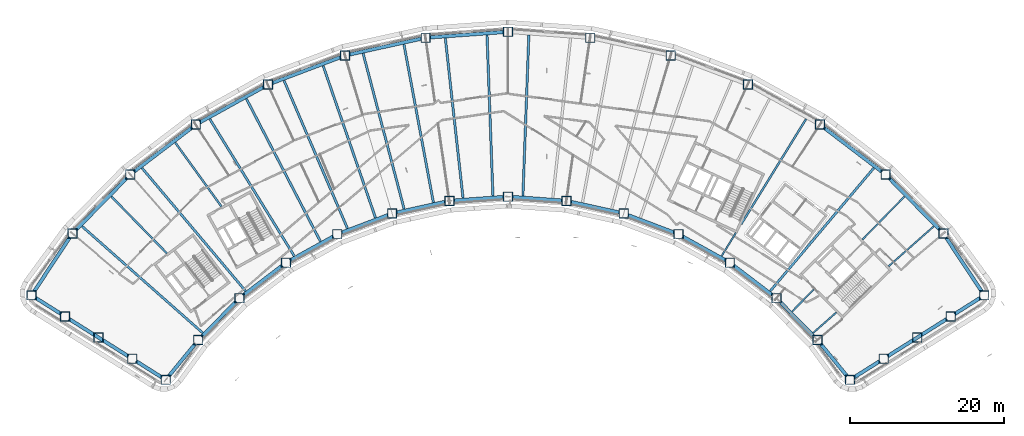
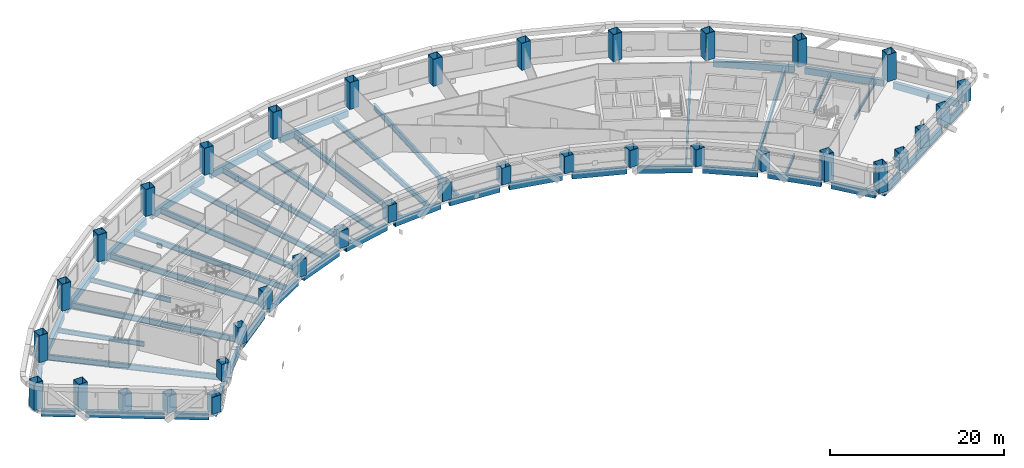
# One storey, part 1 of 19: 50 beams, 36 columns.
"""IFC4 building model written with IfcOpenShell, lengths in metres."""

from ifc_helpers import new_model, si_unit, direction, frame, origin, origin_2d, place, context, subcontext, project, spatial, hollow_rectangle, i_section, extrude, material, material_profile, profile_set, type_object, element, save


model = new_model("IFC4")

# Units and contexts
model_context = context("Model", 3, precision=1e-05, world=origin(), true_north=direction((0.0, 1.0)))
body_context = subcontext(model_context, "Body", "Model", "MODEL_VIEW")
ifc_project = project(units=[si_unit("LENGTHUNIT", "METRE"), si_unit("AREAUNIT", "SQUARE_METRE"), si_unit("VOLUMEUNIT", "CUBIC_METRE"), si_unit("PLANEANGLEUNIT", "RADIAN"), si_unit("MASSUNIT", "GRAM", prefix="KILO")], contexts=[model_context])

# Site, building, storey
site_placement = place(None, origin())
site = spatial("IfcSite", under=ifc_project, at=site_placement, CompositionType="ELEMENT")
building_placement = place(site_placement, origin())
building = spatial("IfcBuilding", under=site, at=building_placement, Name="Tuul Gate Civic Tower", CompositionType="ELEMENT")
storey_placement = place(building_placement, frame((0.0, 0.0, 90.60009765625)))
storey = spatial("IfcBuildingStorey", under=building, at=storey_placement, Name="Level 20", CompositionType="ELEMENT", Elevation=90.60009765625)

# Columns
ifc_material_1 = material(Name="Steel S355", Category="steel")
ifc_material_profile_1 = material_profile(ifc_material_1, hollow_rectangle(XDim=1.199951171875, YDim=1.199951171875, WallThickness=0.0400390625, at=origin_2d()), Name="BOX1200x1200x40")
ifc_profile_set_1 = profile_set([ifc_material_profile_1], Name="Steel S355")
column_type = type_object("IfcColumnType", Name="STR-COLUMN-BOX1200x1200x40", PredefinedType="COLUMN", material=ifc_profile_set_1)
column_placement = place(storey_placement, frame((66.47900390625, -15.4208984375, 0.0), z_axis=(0.0, 0.0, 1.0), x_axis=(1.0, 0.0, 0.0)))
element("IfcColumn", 1, at=column_placement, inside=storey, type_object=column_type, Name="Column", PredefinedType="COLUMN", context=body_context, shape_type="SweptSolid", body=[
    extrude(hollow_rectangle(XDim=1.199951171875, YDim=1.199951171875, WallThickness=0.0400390625, at=origin_2d()), origin(), (0.0, 0.0, 1.0), 2.39990234375),
])
for number, where, z_axis, x_axis, name in (
    (2, (61.179931640625, -7.408935546875, 0.0), (0.0, 0.0, 1.0), (1.0, 0.0, 0.0), "Column"),
    (3, (53.7060546875, 0.216064453125, 0.0), (0.0, 0.0, 1.0), (1.0, 0.0, 0.0), "Column"),
    (4, (45.2109375, 6.68408203125, 0.0), (0.0, 0.0, 1.0), (1.0, 0.0, 0.0), "Column"),
    (5, (35.8720703125, 11.861083984375, 0.0), (0.0, 0.0, 1.0), (1.0, 0.0, 0.0), "Column"),
    (6, (25.885009765625, 15.636962890625, 0.0), (0.0, 0.0, 1.0), (1.0, 0.0, 0.0), "Column"),
    (7, (15.4580078125, 17.93505859375, 0.0), (0.0, 0.0, 1.0), (1.0, 0.0, 0.0), "Column"),
    (8, (4.80810546875, 18.70703125, 0.0), (0.0, 0.0, 1.0), (1.0, 0.0, 0.0), "Column"),
    (9, (-5.841064453125, 17.93505859375, 0.0), (0.0, 0.0, 1.0), (1.0, 0.0, 0.0), "Column"),
    (10, (-16.26806640625, 15.636962890625, 0.0), (0.0, 0.0, 1.0), (1.0, 0.0, 0.0), "Column"),
    (11, (-26.2548828125, 11.861083984375, 0.0), (0.0, 0.0, 1.0), (1.0, 0.0, 0.0), "Column"),
    (12, (-35.593994140625, 6.68408203125, 0.0), (0.0, 0.0, 1.0), (1.0, 0.0, 0.0), "Column"),
    (13, (-44.089111328125, 0.216064453125, 0.0), (0.0, 0.0, 1.0), (1.0, 0.0, 0.0), "Column"),
    (14, (-51.56396484375, -7.408935546875, 0.0), (0.0, 0.0, 1.0), (1.0, 0.0, 0.0), "Column"),
    (15, (-56.863037109375, -15.4208984375, 0.0), (0.0, 0.0, 1.0), (1.0, 0.0, 0.0), "Column"),
    (16, (-52.52001953125, -18.156005859375, 0.0), (0.0, 0.0, 1.0), (1.0, 0.0, 0.0), "Column"),
):
    element("IfcColumn", number, at=place(storey_placement, frame(where, z_axis=z_axis, x_axis=x_axis)), inside=storey, type_object=column_type, Name=name, PredefinedType="COLUMN", context=body_context, shape_type="SweptSolid", body=[
        extrude(hollow_rectangle(XDim=1.199951171875, YDim=1.199951171875, WallThickness=0.0400390625, at=origin_2d()), origin(), (0.0, 0.0, 1.0), 3.7998046875),
    ])
for number, where, z_axis, x_axis, name in (
    (17, (-48.177978515625, -20.89111328125, 0.0), (0.0, 0.0, 1.0), (1.0, 0.0, 0.0), "Column"),
    (18, (-43.8349609375, -23.625, 0.0), (0.0, 0.0, 1.0), (1.0, 0.0, 0.0), "Column"),
    (19, (-39.492919921875, -26.360107421875, 0.0), (0.0, 0.0, 1.0), (1.0, 0.0, 0.0), "Column"),
    (20, (-35.27294921875, -21.218017578125, 0.0), (0.0, 0.0, 1.0), (1.0, 0.0, 0.0), "Column"),
    (21, (-29.9580078125, -15.7958984375, 0.0), (0.0, 0.0, 1.0), (1.0, 0.0, 0.0), "Column"),
    (22, (-23.91796875, -11.197021484375, 0.0), (0.0, 0.0, 1.0), (1.0, 0.0, 0.0), "Column"),
    (23, (-17.278076171875, -7.51708984375, 0.0), (0.0, 0.0, 1.0), (1.0, 0.0, 0.0), "Column"),
    (24, (-10.177001953125, -4.8310546875, 0.0), (0.0, 0.0, 1.0), (1.0, 0.0, 0.0), "Column"),
    (25, (-2.763916015625, -3.197998046875, 0.0), (0.0, 0.0, 1.0), (1.0, 0.0, 0.0), "Column"),
    (26, (4.80810546875, -2.64892578125, 0.0), (0.0, 0.0, 1.0), (1.0, 0.0, 0.0), "Column"),
    (27, (12.3798828125, -3.197998046875, 0.0), (0.0, 0.0, 1.0), (1.0, 0.0, 0.0), "Column"),
    (28, (19.7939453125, -4.8310546875, 0.0), (0.0, 0.0, 1.0), (1.0, 0.0, 0.0), "Column"),
    (29, (26.89501953125, -7.51708984375, 0.0), (0.0, 0.0, 1.0), (1.0, 0.0, 0.0), "Column"),
    (30, (33.534912109375, -11.197021484375, 0.0), (0.0, 0.0, 1.0), (1.0, 0.0, 0.0), "Column"),
    (31, (39.574951171875, -15.7958984375, 0.0), (0.0, 0.0, 1.0), (1.0, 0.0, 0.0), "Column"),
):
    element("IfcColumn", number, at=place(storey_placement, frame(where, z_axis=z_axis, x_axis=x_axis)), inside=storey, type_object=column_type, Name=name, PredefinedType="COLUMN", context=body_context, shape_type="SweptSolid", body=[
        extrude(hollow_rectangle(XDim=1.199951171875, YDim=1.199951171875, WallThickness=0.0400390625, at=origin_2d()), origin(), (0.0, 0.0, 1.0), 2.39990234375),
    ])
for number, where, z_axis, x_axis, name in (
    (32, (44.888916015625, -21.218017578125, 0.0), (0.0, 0.0, 1.0), (1.0, 0.0, 0.0), "Column"),
    (33, (49.10888671875, -26.360107421875, 0.0), (0.0, 0.0, 1.0), (1.0, 0.0, 0.0), "Column"),
):
    element("IfcColumn", number, at=place(storey_placement, frame(where, z_axis=z_axis, x_axis=x_axis)), inside=storey, type_object=column_type, Name=name, PredefinedType="COLUMN", context=body_context, shape_type="SweptSolid", body=[
        extrude(hollow_rectangle(XDim=1.199951171875, YDim=1.199951171875, WallThickness=0.0400390625, at=origin_2d()), origin(), (0.0, 0.0, 1.0), 3.7998046875),
    ])
for number, where, z_axis, x_axis, name in (
    (34, (53.451904296875, -23.625, 0.0), (0.0, 0.0, 1.0), (1.0, 0.0, 0.0), "Column"),
    (35, (57.7939453125, -20.89111328125, 0.0), (0.0, 0.0, 1.0), (1.0, 0.0, 0.0), "Column"),
    (36, (62.136962890625, -18.156005859375, 0.0), (0.0, 0.0, 1.0), (1.0, 0.0, 0.0), "Column"),
):
    element("IfcColumn", number, at=place(storey_placement, frame(where, z_axis=z_axis, x_axis=x_axis)), inside=storey, type_object=column_type, Name=name, PredefinedType="COLUMN", context=body_context, shape_type="SweptSolid", body=[
        extrude(hollow_rectangle(XDim=1.199951171875, YDim=1.199951171875, WallThickness=0.0400390625, at=origin_2d()), origin(), (0.0, 0.0, 1.0), 2.39990234375),
    ])

# Beams
ifc_material_2 = material(Name="Steel S355", Category="steel")
ifc_material_profile_2 = material_profile(ifc_material_2, i_section(OverallWidth=0.199951171875, OverallDepth=0.5, WebThickness=0.010009765625, FlangeThickness=0.01611328125, at=origin_2d()), Name="PG500x200x10x16")
ifc_profile_set_2 = profile_set([ifc_material_profile_2], Name="Steel S355")
beam_type_1 = type_object("IfcBeamType", Name="STR-FLOOR BEAM-PG500x200x10x16", PredefinedType="BEAM", material=ifc_profile_set_2)
beam_1_placement = place(storey_placement, frame((44.323486328125, -20.28369140625, -0.550048828125), z_axis=(0.749461130255, 0.662048347356, 0.0), x_axis=(-0.662048347356, 0.749461130255, 0.0)))
element("IfcBeam", 37, at=beam_1_placement, inside=storey, type_object=beam_type_1, Name="Floor beam", PredefinedType="BEAM", context=body_context, shape_type="SweptSolid", body=[
    extrude(i_section(OverallWidth=0.199951171875, OverallDepth=0.5, WebThickness=0.010009765625, FlangeThickness=0.01611328125, at=origin_2d()), origin(), (0.0, 0.0, 1.0), 4.0107421875),
])
beam_2_placement = place(storey_placement, frame((54.083251953125, -11.661865234375, -0.550048828125), z_axis=(0.749435188798, 0.662077712803, 0.0), x_axis=(-0.662077712803, 0.749435188798, 0.0)))
element("IfcBeam", 38, at=beam_2_placement, inside=storey, type_object=beam_type_1, Name="Floor beam", PredefinedType="BEAM", context=body_context, shape_type="SweptSolid", body=[
    extrude(i_section(OverallWidth=0.199951171875, OverallDepth=0.5, WebThickness=0.010009765625, FlangeThickness=0.01611328125, at=origin_2d()), origin(), (0.0, 0.0, 1.0), 7.8056640625),
])
beam_3_placement = place(storey_placement, frame((41.606201171875, -17.511474609375, -0.550048828125), z_axis=(0.698677872804, 0.71543639134, 0.0), x_axis=(-0.71543639134, 0.698677872804, 0.0)))
element("IfcBeam", 39, at=beam_3_placement, inside=storey, type_object=beam_type_1, Name="Floor beam", PredefinedType="BEAM", context=body_context, shape_type="SweptSolid", body=[
    extrude(i_section(OverallWidth=0.199951171875, OverallDepth=0.5, WebThickness=0.010009765625, FlangeThickness=0.01611328125, at=origin_2d()), origin(), (0.0, 0.0, 1.0), 4.00634765625),
])
beam_4_placement = place(storey_placement, frame((50.69482421875, -8.205078125, -0.550048828125), z_axis=(0.698665360958, 0.715448609893, 0.0), x_axis=(-0.715448609893, 0.698665360958, 0.0)))
element("IfcBeam", 40, at=beam_4_placement, inside=storey, type_object=beam_type_1, Name="Floor beam", PredefinedType="BEAM", context=body_context, shape_type="SweptSolid", body=[
    extrude(i_section(OverallWidth=0.199951171875, OverallDepth=0.5, WebThickness=0.010009765625, FlangeThickness=0.01611328125, at=origin_2d()), origin(), (0.0, 0.0, 1.0), 7.797119140625),
])
beam_5_placement = place(storey_placement, frame((32.47412109375, -10.3232421875, -0.550048828125), z_axis=(0.524881180779, 0.851175508379, 0.0), x_axis=(-0.851175508379, 0.524881180779, 0.0)))
element("IfcBeam", 41, at=beam_5_placement, inside=storey, type_object=beam_type_1, Name="Floor beam", PredefinedType="BEAM", context=body_context, shape_type="SweptSolid", body=[
    extrude(i_section(OverallWidth=0.199951171875, OverallDepth=0.5, WebThickness=0.010009765625, FlangeThickness=0.01611328125, at=origin_2d()), origin(), (0.0, 0.0, 1.0), 3.527099609375),
])
ifc_material_3 = material(Name="Steel S355", Category="steel")
ifc_material_profile_3 = material_profile(ifc_material_3, i_section(OverallWidth=0.25, OverallDepth=0.64990234375, WebThickness=0.011962890625, FlangeThickness=0.02001953125, at=origin_2d()), Name="PG650x250x12x20")
ifc_profile_set_3 = profile_set([ifc_material_profile_3], Name="Steel S355")
beam_type_2 = type_object("IfcBeamType", Name="STR-FLOOR BEAM-PG650x250x12x20", PredefinedType="BEAM", material=ifc_profile_set_3)
beam_6_placement = place(storey_placement, frame((35.022216796875, -6.19091796875, -0.625), z_axis=(0.52485048584, 0.851194435786, 0.0), x_axis=(-0.851194435786, 0.52485048584, 0.0)))
element("IfcBeam", 42, at=beam_6_placement, inside=storey, type_object=beam_type_2, Name="Floor beam", PredefinedType="BEAM", context=body_context, shape_type="SweptSolid", body=[
    extrude(i_section(OverallWidth=0.25, OverallDepth=0.64990234375, WebThickness=0.011962890625, FlangeThickness=0.02001953125, at=origin_2d()), origin(), (0.0, 0.0, 1.0), 15.967529296875),
])
beam_7_placement = place(storey_placement, frame((-32.2705078125, -3.930419921875, -0.625), z_axis=(-0.586085724812, 0.81024905009, 0.0), x_axis=(-0.81024905009, -0.586085724812, 0.0)))
element("IfcBeam", 43, at=beam_7_placement, inside=storey, type_object=beam_type_2, Name="Floor beam", PredefinedType="BEAM", context=body_context, shape_type="SweptSolid", body=[
    extrude(i_section(OverallWidth=0.25, OverallDepth=0.64990234375, WebThickness=0.011962890625, FlangeThickness=0.02001953125, at=origin_2d()), origin(), (0.0, 0.0, 1.0), 10.211669921875),
])
beam_8_placement = place(storey_placement, frame((-39.3271484375, -9.998291015625, -0.625), z_axis=(-0.698680863585, 0.715433470604, 0.0), x_axis=(-0.715433470604, -0.698680863585, 0.0)))
element("IfcBeam", 44, at=beam_8_placement, inside=storey, type_object=beam_type_2, Name="Floor beam", PredefinedType="BEAM", context=body_context, shape_type="SweptSolid", body=[
    extrude(i_section(OverallWidth=0.25, OverallDepth=0.64990234375, WebThickness=0.011962890625, FlangeThickness=0.02001953125, at=origin_2d()), origin(), (0.0, 0.0, 1.0), 10.30322265625),
])
ifc_material_4 = material(Name="Steel S355", Category="steel")
ifc_material_profile_4 = material_profile(ifc_material_4, i_section(OverallWidth=0.300048828125, OverallDepth=0.800048828125, WebThickness=0.013916015625, FlangeThickness=0.02490234375, at=origin_2d()), Name="PG800x300x14x25")
ifc_profile_set_4 = profile_set([ifc_material_profile_4], Name="Steel S355")
beam_type_3 = type_object("IfcBeamType", Name="STR-FLOOR BEAM-PG800x300x14x25", PredefinedType="BEAM", material=ifc_profile_set_4)
beam_9_placement = place(storey_placement, frame((38.76611328125, -14.86572265625, -0.7001953125), z_axis=(0.644123110179, 0.764921838447, 0.0), x_axis=(-0.764921838447, 0.644123110179, 0.0)))
element("IfcBeam", 45, at=beam_9_placement, inside=storey, type_object=beam_type_3, Name="Floor beam", PredefinedType="BEAM", context=body_context, shape_type="SweptSolid", body=[
    extrude(i_section(OverallWidth=0.300048828125, OverallDepth=0.800048828125, WebThickness=0.013916015625, FlangeThickness=0.02490234375, at=origin_2d()), origin(), (0.0, 0.0, 1.0), 20.824951171875),
])
for number, where, z_axis, x_axis, name in (
    (46, (6.74853515625, -2.5390625, -0.7001953125), (0.036832478792, 0.999321454041, 0.0), (-0.999321454041, 0.036832478792, 0.0), "Floor beam"),
    (47, (2.867919921875, -2.5390625, -0.7001953125), (-0.036832478792, 0.999321454041, 0.0), (-0.999321454041, -0.036832478792, 0.0), "Floor beam"),
):
    element("IfcBeam", number, at=place(storey_placement, frame(where, z_axis=z_axis, x_axis=x_axis)), inside=storey, type_object=beam_type_3, Name=name, PredefinedType="BEAM", context=body_context, shape_type="SweptSolid", body=[
        extrude(i_section(OverallWidth=0.300048828125, OverallDepth=0.800048828125, WebThickness=0.013916015625, FlangeThickness=0.02490234375, at=origin_2d()), origin(), (0.0, 0.0, 1.0), 20.813232421875),
    ])
beam_10_placement = place(storey_placement, frame((-1.0029296875, -2.819580078125, -0.7001953125), z_axis=(-0.110287344613, 0.993899744249, 0.0), x_axis=(-0.993899744249, -0.110287344613, 0.0)))
element("IfcBeam", 48, at=beam_10_placement, inside=storey, type_object=beam_type_3, Name="Floor beam", PredefinedType="BEAM", context=body_context, shape_type="SweptSolid", body=[
    extrude(i_section(OverallWidth=0.300048828125, OverallDepth=0.800048828125, WebThickness=0.013916015625, FlangeThickness=0.02490234375, at=origin_2d()), origin(), (0.0, 0.0, 1.0), 20.815185546875),
])
beam_11_placement = place(storey_placement, frame((-4.84033203125, -3.3994140625, -0.7001953125), z_axis=(-0.183138116697, 0.983087193596, 0.0), x_axis=(-0.983087193596, -0.183138116697, 0.0)))
element("IfcBeam", 49, at=beam_11_placement, inside=storey, type_object=beam_type_3, Name="Floor beam", PredefinedType="BEAM", context=body_context, shape_type="SweptSolid", body=[
    extrude(i_section(OverallWidth=0.300048828125, OverallDepth=0.800048828125, WebThickness=0.013916015625, FlangeThickness=0.02490234375, at=origin_2d()), origin(), (0.0, 0.0, 1.0), 20.81103515625),
])
beam_12_placement = place(storey_placement, frame((-8.63037109375, -4.234375, -0.7001953125), z_axis=(-0.255002430405, 0.966940412067, 0.0), x_axis=(-0.966940412067, -0.255002430405, 0.0)))
element("IfcBeam", 50, at=beam_12_placement, inside=storey, type_object=beam_type_3, Name="Floor beam", PredefinedType="BEAM", context=body_context, shape_type="SweptSolid", body=[
    extrude(i_section(OverallWidth=0.300048828125, OverallDepth=0.800048828125, WebThickness=0.013916015625, FlangeThickness=0.02490234375, at=origin_2d()), origin(), (0.0, 0.0, 1.0), 20.81689453125),
])
beam_13_placement = place(storey_placement, frame((-12.337890625, -5.381103515625, -0.7001953125), z_axis=(-0.325490585261, 0.945545281257, 0.0), x_axis=(-0.945545281257, -0.325490585261, 0.0)))
element("IfcBeam", 51, at=beam_13_placement, inside=storey, type_object=beam_type_3, Name="Floor beam", PredefinedType="BEAM", context=body_context, shape_type="SweptSolid", body=[
    extrude(i_section(OverallWidth=0.300048828125, OverallDepth=0.800048828125, WebThickness=0.013916015625, FlangeThickness=0.02490234375, at=origin_2d()), origin(), (0.0, 0.0, 1.0), 20.80908203125),
])
beam_14_placement = place(storey_placement, frame((-15.968017578125, -6.754150390625, -0.7001953125), z_axis=(-0.39421223202, 0.919019431854, 0.0), x_axis=(-0.919019431854, -0.39421223202, 0.0)))
element("IfcBeam", 52, at=beam_14_placement, inside=storey, type_object=beam_type_3, Name="Floor beam", PredefinedType="BEAM", context=body_context, shape_type="SweptSolid", body=[
    extrude(i_section(OverallWidth=0.300048828125, OverallDepth=0.800048828125, WebThickness=0.013916015625, FlangeThickness=0.02490234375, at=origin_2d()), origin(), (0.0, 0.0, 1.0), 20.820068359375),
])
beam_15_placement = place(storey_placement, frame((-19.462890625, -8.442138671875, -0.7001953125), z_axis=(-0.460776704907, 0.887516100257, 0.0), x_axis=(-0.887516100257, -0.460776704907, 0.0)))
element("IfcBeam", 53, at=beam_15_placement, inside=storey, type_object=beam_type_3, Name="Floor beam", PredefinedType="BEAM", context=body_context, shape_type="SweptSolid", body=[
    extrude(i_section(OverallWidth=0.300048828125, OverallDepth=0.800048828125, WebThickness=0.013916015625, FlangeThickness=0.02490234375, at=origin_2d()), origin(), (0.0, 0.0, 1.0), 20.80810546875),
])
beam_16_placement = place(storey_placement, frame((-22.857666015625, -10.323486328125, -0.7001953125), z_axis=(-0.524858688135, 0.851189378158, 0.0), x_axis=(-0.851189378158, -0.524858688135, 0.0)))
element("IfcBeam", 54, at=beam_16_placement, inside=storey, type_object=beam_type_3, Name="Floor beam", PredefinedType="BEAM", context=body_context, shape_type="SweptSolid", body=[
    extrude(i_section(OverallWidth=0.300048828125, OverallDepth=0.800048828125, WebThickness=0.013916015625, FlangeThickness=0.02490234375, at=origin_2d()), origin(), (0.0, 0.0, 1.0), 20.822265625),
])
beam_17_placement = place(storey_placement, frame((-29.1494140625, -14.8662109375, -0.7001953125), z_axis=(-0.644129969572, 0.764916062257, 0.0), x_axis=(-0.764916062257, -0.644129969572, 0.0)))
element("IfcBeam", 55, at=beam_17_placement, inside=storey, type_object=beam_type_3, Name="Floor beam", PredefinedType="BEAM", context=body_context, shape_type="SweptSolid", body=[
    extrude(i_section(OverallWidth=0.300048828125, OverallDepth=0.800048828125, WebThickness=0.013916015625, FlangeThickness=0.02490234375, at=origin_2d()), origin(), (0.0, 0.0, 1.0), 20.8251953125),
])
beam_18_placement = place(storey_placement, frame((-34.707275390625, -20.28369140625, -0.7001953125), z_axis=(-0.749442289346, 0.662069675291, 0.0), x_axis=(-0.662069675291, -0.749442289346, 0.0)))
element("IfcBeam", 56, at=beam_18_placement, inside=storey, type_object=beam_type_3, Name="Floor beam", PredefinedType="BEAM", context=body_context, shape_type="SweptSolid", body=[
    extrude(i_section(OverallWidth=0.300048828125, OverallDepth=0.800048828125, WebThickness=0.013916015625, FlangeThickness=0.02490234375, at=origin_2d()), origin(), (0.0, 0.0, 1.0), 20.828369140625),
])
ifc_material_5 = material(Name="Steel S355", Category="steel")
ifc_material_profile_5 = material_profile(ifc_material_5, hollow_rectangle(XDim=0.449951171875, YDim=0.89990234375, WallThickness=0.02490234375, at=origin_2d()), Name="BOX900x450x25")
ifc_profile_set_5 = profile_set([ifc_material_profile_5], Name="Steel S355")
beam_type_4 = type_object("IfcBeamType", Name="STR-SPANDREL BEAM-BOX900x450x25", PredefinedType="BEAM", material=ifc_profile_set_5)
beam_19_placement = place(storey_placement, frame((66.14794921875, -14.920654296875, -0.75), z_axis=(-0.551633408665, 0.834086675619, 0.0), x_axis=(-0.834086675619, -0.551633408665, 0.0)))
element("IfcBeam", 57, at=beam_19_placement, inside=storey, type_object=beam_type_4, Name="Spandrel beam", PredefinedType="BEAM", context=body_context, shape_type="SweptSolid", body=[
    extrude(hollow_rectangle(XDim=0.449951171875, YDim=0.89990234375, WallThickness=0.02490234375, at=origin_2d()), origin(), (0.0, 0.0, 1.0), 8.40576171875),
])
beam_20_placement = place(storey_placement, frame((60.760009765625, -6.98046875, -0.75), z_axis=(-0.700000063817, 0.714142780301, 0.0), x_axis=(-0.714142780301, -0.700000063817, 0.0)))
element("IfcBeam", 58, at=beam_20_placement, inside=storey, type_object=beam_type_4, Name="Spandrel beam", PredefinedType="BEAM", context=body_context, shape_type="SweptSolid", body=[
    extrude(hollow_rectangle(XDim=0.449951171875, YDim=0.89990234375, WallThickness=0.02490234375, at=origin_2d()), origin(), (0.0, 0.0, 1.0), 9.477294921875),
])
beam_21_placement = place(storey_placement, frame((53.228515625, 0.57958984375, -0.75), z_axis=(-0.795626241327, 0.605787821033, 0.0), x_axis=(-0.605787821033, -0.795626241327, 0.0)))
element("IfcBeam", 59, at=beam_21_placement, inside=storey, type_object=beam_type_4, Name="Spandrel beam", PredefinedType="BEAM", context=body_context, shape_type="SweptSolid", body=[
    extrude(hollow_rectangle(XDim=0.449951171875, YDim=0.89990234375, WallThickness=0.02490234375, at=origin_2d()), origin(), (0.0, 0.0, 1.0), 9.476806640625),
])
beam_22_placement = place(storey_placement, frame((4.20947265625, 18.66357421875, -0.75), z_axis=(-0.99738202317, -0.072312515214, 0.0), x_axis=(0.072312515214, -0.99738202317, 0.0)))
element("IfcBeam", 60, at=beam_22_placement, inside=storey, type_object=beam_type_4, Name="Spandrel beam", PredefinedType="BEAM", context=body_context, shape_type="SweptSolid", body=[
    extrude(hollow_rectangle(XDim=0.449951171875, YDim=0.89990234375, WallThickness=0.02490234375, at=origin_2d()), origin(), (0.0, 0.0, 1.0), 9.47705078125),
])
beam_23_placement = place(storey_placement, frame((-6.427001953125, 17.805908203125, -0.75), z_axis=(-0.97656320303, -0.215230830708, 0.0), x_axis=(0.215230830708, -0.97656320303, 0.0)))
element("IfcBeam", 61, at=beam_23_placement, inside=storey, type_object=beam_type_4, Name="Spandrel beam", PredefinedType="BEAM", context=body_context, shape_type="SweptSolid", body=[
    extrude(hollow_rectangle(XDim=0.449951171875, YDim=0.89990234375, WallThickness=0.02490234375, at=origin_2d()), origin(), (0.0, 0.0, 1.0), 9.477294921875),
])
beam_24_placement = place(storey_placement, frame((-16.829345703125, 15.4248046875, -0.75), z_axis=(-0.935376104649, -0.353654552993, 0.0), x_axis=(0.353654552993, -0.935376104649, 0.0)))
element("IfcBeam", 62, at=beam_24_placement, inside=storey, type_object=beam_type_4, Name="Spandrel beam", PredefinedType="BEAM", context=body_context, shape_type="SweptSolid", body=[
    extrude(hollow_rectangle(XDim=0.449951171875, YDim=0.89990234375, WallThickness=0.02490234375, at=origin_2d()), origin(), (0.0, 0.0, 1.0), 9.47705078125),
])
beam_25_placement = place(storey_placement, frame((-26.77978515625, 11.570068359375, -0.75), z_axis=(-0.874608888761, -0.484829136604, 0.0), x_axis=(0.484829136604, -0.874608888761, 0.0)))
element("IfcBeam", 63, at=beam_25_placement, inside=storey, type_object=beam_type_4, Name="Spandrel beam", PredefinedType="BEAM", context=body_context, shape_type="SweptSolid", body=[
    extrude(hollow_rectangle(XDim=0.449951171875, YDim=0.89990234375, WallThickness=0.02490234375, at=origin_2d()), origin(), (0.0, 0.0, 1.0), 9.47802734375),
])
beam_26_placement = place(storey_placement, frame((-36.0712890625, 6.320556640625, -0.75), z_axis=(-0.795635695058, -0.605775404543, 0.0), x_axis=(0.605775404543, -0.795635695058, 0.0)))
element("IfcBeam", 64, at=beam_26_placement, inside=storey, type_object=beam_type_4, Name="Spandrel beam", PredefinedType="BEAM", context=body_context, shape_type="SweptSolid", body=[
    extrude(hollow_rectangle(XDim=0.449951171875, YDim=0.89990234375, WallThickness=0.02490234375, at=origin_2d()), origin(), (0.0, 0.0, 1.0), 9.47705078125),
])
beam_27_placement = place(storey_placement, frame((-44.509033203125, -0.21240234375, -0.75), z_axis=(-0.700052610293, -0.714091270653, 0.0), x_axis=(0.714091270653, -0.700052610293, 0.0)))
element("IfcBeam", 65, at=beam_27_placement, inside=storey, type_object=beam_type_4, Name="Spandrel beam", PredefinedType="BEAM", context=body_context, shape_type="SweptSolid", body=[
    extrude(hollow_rectangle(XDim=0.449951171875, YDim=0.89990234375, WallThickness=0.02490234375, at=origin_2d()), origin(), (0.0, 0.0, 1.0), 9.477783203125),
])
beam_28_placement = place(storey_placement, frame((-51.89501953125, -7.909423828125, -0.75), z_axis=(-0.551633408665, -0.834086675619, 0.0), x_axis=(0.834086675619, -0.551633408665, 0.0)))
element("IfcBeam", 66, at=beam_28_placement, inside=storey, type_object=beam_type_4, Name="Spandrel beam", PredefinedType="BEAM", context=body_context, shape_type="SweptSolid", body=[
    extrude(hollow_rectangle(XDim=0.449951171875, YDim=0.89990234375, WallThickness=0.02490234375, at=origin_2d()), origin(), (0.0, 0.0, 1.0), 8.40576171875),
])
beam_29_placement = place(storey_placement, frame((-56.355224609375, -15.74072265625, -0.75), z_axis=(0.846183069254, -0.532892309297, 0.0), x_axis=(0.532892309297, 0.846183069254, 0.0)))
element("IfcBeam", 67, at=beam_29_placement, inside=storey, type_object=beam_type_4, Name="Spandrel beam", PredefinedType="BEAM", context=body_context, shape_type="SweptSolid", body=[
    extrude(hollow_rectangle(XDim=0.449951171875, YDim=0.89990234375, WallThickness=0.02490234375, at=origin_2d()), origin(), (0.0, 0.0, 1.0), 3.93212890625),
])
beam_30_placement = place(storey_placement, frame((-52.01220703125, -18.475830078125, -0.75), z_axis=(0.846210797287, -0.532848277237, 0.0), x_axis=(0.532848277237, 0.846210797287, 0.0)))
element("IfcBeam", 68, at=beam_30_placement, inside=storey, type_object=beam_type_4, Name="Spandrel beam", PredefinedType="BEAM", context=body_context, shape_type="SweptSolid", body=[
    extrude(hollow_rectangle(XDim=0.449951171875, YDim=0.89990234375, WallThickness=0.02490234375, at=origin_2d()), origin(), (0.0, 0.0, 1.0), 9.063232421875),
])
beam_31_placement = place(storey_placement, frame((-43.327392578125, -23.94482421875, -0.75), z_axis=(0.846130163467, -0.532976309484, 0.0), x_axis=(0.532976309484, 0.846130163467, 0.0)))
element("IfcBeam", 69, at=beam_31_placement, inside=storey, type_object=beam_type_4, Name="Spandrel beam", PredefinedType="BEAM", context=body_context, shape_type="SweptSolid", body=[
    extrude(hollow_rectangle(XDim=0.449951171875, YDim=0.89990234375, WallThickness=0.02490234375, at=origin_2d()), origin(), (0.0, 0.0, 1.0), 3.931640625),
])
beam_32_placement = place(storey_placement, frame((-39.1123046875, -25.896240234375, -0.75), z_axis=(0.634405130356, 0.773000731292, 0.0), x_axis=(-0.773000731292, 0.634405130356, 0.0)))
element("IfcBeam", 70, at=beam_32_placement, inside=storey, type_object=beam_type_4, Name="Spandrel beam", PredefinedType="BEAM", context=body_context, shape_type="SweptSolid", body=[
    extrude(hollow_rectangle(XDim=0.449951171875, YDim=0.89990234375, WallThickness=0.02490234375, at=origin_2d()), origin(), (0.0, 0.0, 1.0), 5.451904296875),
])
beam_33_placement = place(storey_placement, frame((-34.85302734375, -20.78955078125, -0.75), z_axis=(0.70002559028, 0.714117758464, 0.0), x_axis=(-0.714117758464, 0.70002559028, 0.0)))
element("IfcBeam", 71, at=beam_33_placement, inside=storey, type_object=beam_type_4, Name="Spandrel beam", PredefinedType="BEAM", context=body_context, shape_type="SweptSolid", body=[
    extrude(hollow_rectangle(XDim=0.449951171875, YDim=0.89990234375, WallThickness=0.02490234375, at=origin_2d()), origin(), (0.0, 0.0, 1.0), 6.392822265625),
])
for number, where, z_axis, x_axis, name in (
    (72, (-29.480712890625, -15.4326171875, -0.75), (0.79562457822, 0.605790005308, 0.0), (-0.605790005308, 0.79562457822, 0.0), "Spandrel beam"),
    (73, (-23.393310546875, -10.90625, -0.75), (0.87465408875, 0.484747588992, 0.0), (-0.484747588992, 0.87465408875, 0.0), "Spandrel beam"),
    (74, (-16.716796875, -7.3046875, -0.75), (0.9353207628, 0.353800891286, 0.0), (-0.353800891286, 0.9353207628, 0.0), "Spandrel beam"),
):
    element("IfcBeam", number, at=place(storey_placement, frame(where, z_axis=z_axis, x_axis=x_axis)), inside=storey, type_object=beam_type_4, Name=name, PredefinedType="BEAM", context=body_context, shape_type="SweptSolid", body=[
        extrude(hollow_rectangle(XDim=0.449951171875, YDim=0.89990234375, WallThickness=0.02490234375, at=origin_2d()), origin(), (0.0, 0.0, 1.0), 6.391845703125),
    ])
beam_34_placement = place(storey_placement, frame((-9.591064453125, -4.701904296875, -0.75), z_axis=(0.976588960757, 0.215113927321, 0.0), x_axis=(-0.215113927321, 0.976588960757, 0.0)))
element("IfcBeam", 75, at=beam_34_placement, inside=storey, type_object=beam_type_4, Name="Spandrel beam", PredefinedType="BEAM", context=body_context, shape_type="SweptSolid", body=[
    extrude(hollow_rectangle(XDim=0.449951171875, YDim=0.89990234375, WallThickness=0.02490234375, at=origin_2d()), origin(), (0.0, 0.0, 1.0), 6.390869140625),
])
for number, where, z_axis, x_axis, name in (
    (76, (-2.16552734375, -3.154541015625, -0.75), (0.997382520948, 0.072305649209, 0.0), (-0.072305649209, 0.997382520948, 0.0), "Spandrel beam"),
    (77, (5.406494140625, -2.6923828125, -0.75), (0.997382520948, -0.072305649209, 0.0), (0.072305649209, 0.997382520948, 0.0), "Spandrel beam"),
):
    element("IfcBeam", number, at=place(storey_placement, frame(where, z_axis=z_axis, x_axis=x_axis)), inside=storey, type_object=beam_type_4, Name=name, PredefinedType="BEAM", context=body_context, shape_type="SweptSolid", body=[
        extrude(hollow_rectangle(XDim=0.449951171875, YDim=0.89990234375, WallThickness=0.02490234375, at=origin_2d()), origin(), (0.0, 0.0, 1.0), 6.391845703125),
    ])
beam_35_placement = place(storey_placement, frame((12.966064453125, -3.3271484375, -0.75), z_axis=(0.976594263107, -0.215089853935, 0.0), x_axis=(0.215089853935, 0.976594263107, 0.0)))
element("IfcBeam", 78, at=beam_35_placement, inside=storey, type_object=beam_type_4, Name="Spandrel beam", PredefinedType="BEAM", context=body_context, shape_type="SweptSolid", body=[
    extrude(hollow_rectangle(XDim=0.449951171875, YDim=0.89990234375, WallThickness=0.02490234375, at=origin_2d()), origin(), (0.0, 0.0, 1.0), 6.3916015625),
])
for number, where, z_axis, x_axis, name in (
    (79, (20.355224609375, -5.043212890625, -0.75), (0.9353207628, -0.353800891286, 0.0), (0.353800891286, 0.9353207628, 0.0), "Spandrel beam"),
    (80, (27.419677734375, -7.807861328125, -0.75), (0.87465408875, -0.484747588992, 0.0), (0.484747588992, 0.87465408875, 0.0), "Spandrel beam"),
):
    element("IfcBeam", number, at=place(storey_placement, frame(where, z_axis=z_axis, x_axis=x_axis)), inside=storey, type_object=beam_type_4, Name=name, PredefinedType="BEAM", context=body_context, shape_type="SweptSolid", body=[
        extrude(hollow_rectangle(XDim=0.449951171875, YDim=0.89990234375, WallThickness=0.02490234375, at=origin_2d()), origin(), (0.0, 0.0, 1.0), 6.391845703125),
    ])
beam_36_placement = place(storey_placement, frame((34.012451171875, -11.560546875, -0.75), z_axis=(0.795610560321, -0.605808415512, 0.0), x_axis=(0.605808415512, 0.795610560321, 0.0)))
element("IfcBeam", 81, at=beam_36_placement, inside=storey, type_object=beam_type_4, Name="Spandrel beam", PredefinedType="BEAM", context=body_context, shape_type="SweptSolid", body=[
    extrude(hollow_rectangle(XDim=0.449951171875, YDim=0.89990234375, WallThickness=0.02490234375, at=origin_2d()), origin(), (0.0, 0.0, 1.0), 6.3916015625),
])
beam_37_placement = place(storey_placement, frame((39.994873046875, -16.224609375, -0.75), z_axis=(0.699966768849, -0.714175414381, 0.0), x_axis=(0.714175414381, 0.699966768849, 0.0)))
element("IfcBeam", 82, at=beam_37_placement, inside=storey, type_object=beam_type_4, Name="Spandrel beam", PredefinedType="BEAM", context=body_context, shape_type="SweptSolid", body=[
    extrude(hollow_rectangle(XDim=0.449951171875, YDim=0.89990234375, WallThickness=0.02490234375, at=origin_2d()), origin(), (0.0, 0.0, 1.0), 6.391845703125),
])
beam_38_placement = place(storey_placement, frame((45.26953125, -21.681884765625, -0.75), z_axis=(0.634405130356, -0.773000731292, 0.0), x_axis=(0.773000731292, 0.634405130356, 0.0)))
element("IfcBeam", 83, at=beam_38_placement, inside=storey, type_object=beam_type_4, Name="Spandrel beam", PredefinedType="BEAM", context=body_context, shape_type="SweptSolid", body=[
    extrude(hollow_rectangle(XDim=0.449951171875, YDim=0.89990234375, WallThickness=0.02490234375, at=origin_2d()), origin(), (0.0, 0.0, 1.0), 5.451904296875),
])
beam_39_placement = place(storey_placement, frame((49.61669921875, -26.040283203125, -0.75), z_axis=(0.846200698958, 0.532864313951, 0.0), x_axis=(-0.532864313951, 0.846200698958, 0.0)))
element("IfcBeam", 84, at=beam_39_placement, inside=storey, type_object=beam_type_4, Name="Spandrel beam", PredefinedType="BEAM", context=body_context, shape_type="SweptSolid", body=[
    extrude(hollow_rectangle(XDim=0.449951171875, YDim=0.89990234375, WallThickness=0.02490234375, at=origin_2d()), origin(), (0.0, 0.0, 1.0), 3.932373046875),
])
beam_40_placement = place(storey_placement, frame((53.959716796875, -23.30517578125, -0.75), z_axis=(0.846218445282, 0.532836131343, 0.0), x_axis=(-0.532836131343, 0.846218445282, 0.0)))
element("IfcBeam", 85, at=beam_40_placement, inside=storey, type_object=beam_type_4, Name="Spandrel beam", PredefinedType="BEAM", context=body_context, shape_type="SweptSolid", body=[
    extrude(hollow_rectangle(XDim=0.449951171875, YDim=0.89990234375, WallThickness=0.02490234375, at=origin_2d()), origin(), (0.0, 0.0, 1.0), 9.0634765625),
])
beam_41_placement = place(storey_placement, frame((62.644775390625, -17.836181640625, -0.75), z_axis=(0.846130163467, 0.532976309484, 0.0), x_axis=(-0.532976309484, 0.846130163467, 0.0)))
element("IfcBeam", 86, at=beam_41_placement, inside=storey, type_object=beam_type_4, Name="Spandrel beam", PredefinedType="BEAM", context=body_context, shape_type="SweptSolid", body=[
    extrude(hollow_rectangle(XDim=0.449951171875, YDim=0.89990234375, WallThickness=0.02490234375, at=origin_2d()), origin(), (0.0, 0.0, 1.0), 3.931640625),
])

save(model, "model.ifc")
